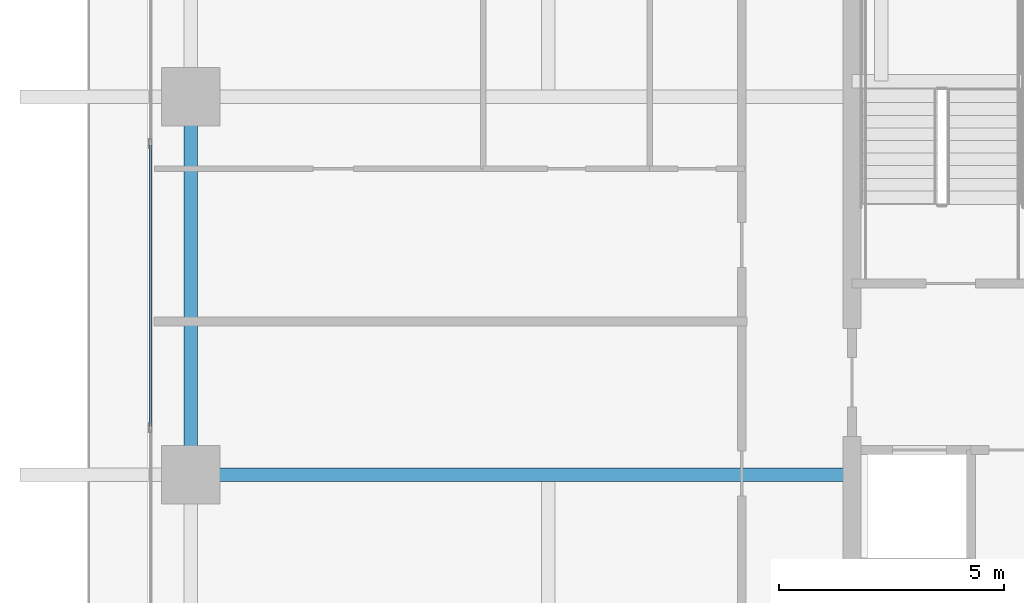
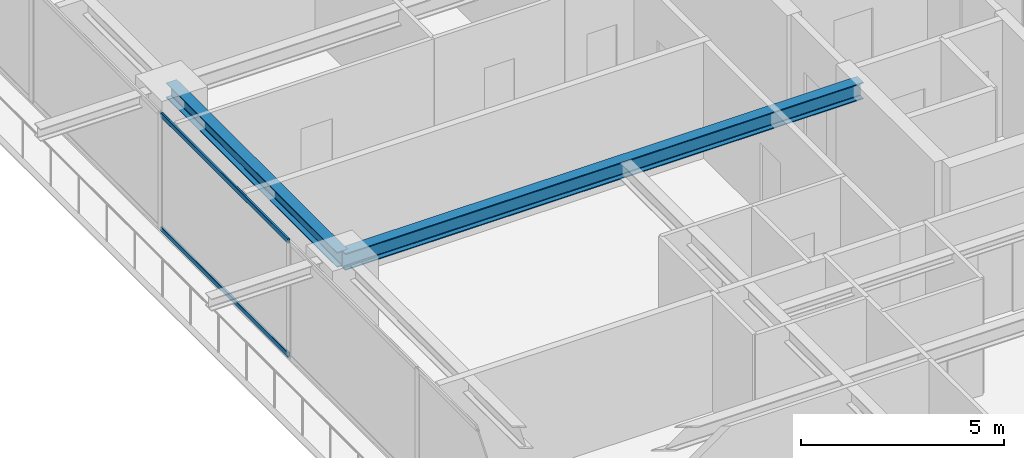
# One storey, part 7 of 34: 2 beams, 2 members, 1 element without a shape of its own.
"""IFC4 building model written with IfcOpenShell, lengths in metres."""

import ifcopenshell
import ifcopenshell.guid

model = None  # the IFC model being written
_history = None  # IfcOwnerHistory: only IFC2X3 demands one
_inside = {}  # id of a spatial element -> (the spatial element, [elements in it])
_under = {}  # id of a project, library or spatial element -> (it, [spatial elements below it])
_declared = {}  # id of a project -> (the project, [libraries it declares])
_typed = {}  # id of a type object -> (the type object, [elements of that type])
_made_of = {}  # id of a material, layer set ... -> (it, [elements and type objects made of it])


def new_model(schema):
    """Start an empty IFC model of exactly this schema.

    Asked for "IFC4X3", IfcOpenShell would pick the latest addendum, in which some entities
    have other attributes; the version numbers below select the first issue.
    IFC2X3 requires an IfcOwnerHistory on every rooted entity: one is made here for all.
    """
    global model, _history
    if schema == "IFC4X3":
        model = ifcopenshell.file(schema_version=(4, 3, 0, 0))
    else:
        model = ifcopenshell.file(schema=schema)
    _inside.clear()
    _under.clear()
    _declared.clear()
    _typed.clear()
    _made_of.clear()
    _history = None
    if model.schema == "IFC2X3":
        org = make("IfcOrganization", Name="unknown")
        user = make(
            "IfcPersonAndOrganization",
            ThePerson=make("IfcPerson", FamilyName="unknown"),
            TheOrganization=org,
        )
        app = make(
            "IfcApplication",
            ApplicationDeveloper=org,
            Version="unknown",
            ApplicationFullName="unknown",
            ApplicationIdentifier="unknown",
        )
        _history = make(
            "IfcOwnerHistory",
            OwningUser=user,
            OwningApplication=app,
            ChangeAction="ADDED",
            CreationDate=0,
        )
    return model


def make(cls, **values):
    """One entity of the class cls with the attributes given. An attribute that is None is left unset."""
    return model.create_entity(
        cls, **{name: value for name, value in values.items() if value is not None}
    )


def rooted(cls, **values):
    """An entity with a GlobalId (a new one), such as an element, a storey or a relation."""
    return make(cls, GlobalId=ifcopenshell.guid.new(), OwnerHistory=_history, **values)


def si_unit(unit_type, name, prefix=None):
    """IfcSIUnit, for example si_unit("LENGTHUNIT", "METRE", prefix="MILLI")."""
    return make("IfcSIUnit", UnitType=unit_type, Prefix=prefix, Name=name)


def assignment(units):
    """IfcUnitAssignment: the units of a project."""
    return None if units is None else make("IfcUnitAssignment", Units=units)


def point(xyz):
    """IfcCartesianPoint."""
    return None if xyz is None else make("IfcCartesianPoint", Coordinates=xyz)


def direction(xyz):
    """IfcDirection."""
    return None if xyz is None else make("IfcDirection", DirectionRatios=xyz)


def frame(location, z_axis=None, x_axis=None):
    """IfcAxis2Placement3D, a coordinate frame: its origin and axes. An axis left out is left unset."""
    return make(
        "IfcAxis2Placement3D",
        Location=point(location),
        Axis=direction(z_axis),
        RefDirection=direction(x_axis),
    )


def frame_2d(location, x_axis=None):
    """IfcAxis2Placement2D, a coordinate frame in the plane: its origin and x axis."""
    return make(
        "IfcAxis2Placement2D", Location=point(location), RefDirection=direction(x_axis)
    )


def origin():
    """The frame at (0, 0, 0) with its axes left unset."""
    return frame((0.0, 0.0, 0.0))


def origin_2d():
    """The frame at (0, 0) in the plane with its x axis left unset."""
    return frame_2d((0.0, 0.0))


def place(relative_to, where):
    """IfcLocalPlacement: puts the frame where relative to a parent placement (None: the world)."""
    return make(
        "IfcLocalPlacement", PlacementRelTo=relative_to, RelativePlacement=where
    )


def context(
    kind, dimensions, precision=None, world=None, true_north=None, identifier=None
):
    """IfcGeometricRepresentationContext, for example the 3D "Model" context."""
    return make(
        "IfcGeometricRepresentationContext",
        ContextIdentifier=identifier,
        ContextType=kind,
        CoordinateSpaceDimension=dimensions,
        Precision=precision,
        WorldCoordinateSystem=world,
        TrueNorth=true_north,
    )


def subcontext(parent, identifier, kind, view, scale=None):
    """IfcGeometricRepresentationSubContext, for example "Body" below "Model"."""
    return make(
        "IfcGeometricRepresentationSubContext",
        ContextIdentifier=identifier,
        ContextType=kind,
        ParentContext=parent,
        TargetScale=scale,
        TargetView=view,
    )


def project(units=None, contexts=None):
    """IfcProject with its units and contexts."""
    return rooted(
        "IfcProject",
        Name="project",
        RepresentationContexts=contexts,
        UnitsInContext=assignment(units),
    )


def spatial(cls, under=None, at=None, **own):
    """A site, building, storey or space (cls), placed at a placement, below another one or the project."""
    s = rooted(cls, ObjectPlacement=at, **own)
    if under is not None:
        _under.setdefault(under.id(), (under, []))[1].append(s)
    return s


def profile(cls, at=None, kind="AREA", **sizes):
    """A parametric profile (cls). Its sizes go by their IFC names, for example OverallWidth=200.0."""
    return make(cls, ProfileType=kind, Position=at, **sizes)


def hollow_rectangle(**sizes):
    """IfcRectangleHollowProfileDef."""
    return profile("IfcRectangleHollowProfileDef", **sizes)


def i_section(**sizes):
    """IfcIShapeProfileDef."""
    return profile("IfcIShapeProfileDef", **sizes)


def extrude(swept, where, along, depth):
    """IfcExtrudedAreaSolid: the profile swept, set in the frame where, extruded along a direction by depth."""
    return make(
        "IfcExtrudedAreaSolid",
        SweptArea=swept,
        Position=where,
        ExtrudedDirection=direction(along),
        Depth=depth,
    )


def shape(context_of_items, identifier, shape_type, items):
    """IfcShapeRepresentation: the items that make up one representation, for example the "Body"."""
    return make(
        "IfcShapeRepresentation",
        ContextOfItems=context_of_items,
        RepresentationIdentifier=identifier,
        RepresentationType=shape_type,
        Items=items,
    )


def source(mapping_origin, context_of_items, identifier, shape_type, items):
    """IfcRepresentationMap: a shape defined once, which mapped items show again and again."""
    return make(
        "IfcRepresentationMap",
        MappingOrigin=mapping_origin,
        MappedRepresentation=shape(context_of_items, identifier, shape_type, items),
    )


def transform(
    local_origin,
    x_axis=None,
    y_axis=None,
    z_axis=None,
    scale=None,
    scale2=None,
    scale3=None,
    uniform=True,
):
    """IfcCartesianTransformationOperator3D, or its non-uniform kind. x_axis, y_axis, z_axis: its Axis1, 2, 3."""
    if uniform:
        return make(
            "IfcCartesianTransformationOperator3D",
            Axis1=direction(x_axis),
            Axis2=direction(y_axis),
            LocalOrigin=point(local_origin),
            Scale=scale,
            Axis3=direction(z_axis),
        )
    return make(
        "IfcCartesianTransformationOperator3DnonUniform",
        Axis1=direction(x_axis),
        Axis2=direction(y_axis),
        LocalOrigin=point(local_origin),
        Scale=scale,
        Axis3=direction(z_axis),
        Scale2=scale2,
        Scale3=scale3,
    )


def mapped(mapping_source, mapping_target):
    """IfcMappedItem: shows the shape of a source again, moved by a transform."""
    return make(
        "IfcMappedItem", MappingSource=mapping_source, MappingTarget=mapping_target
    )


def material(Name=None, Category=None):
    """IfcMaterial."""
    return make("IfcMaterial", Name=Name, Category=Category)


def layer(
    of_material, thickness, ventilated=None, Name=None, Category=None, Priority=None
):
    """IfcMaterialLayer: one layer of a wall or slab, of a material (None: an air gap)."""
    return make(
        "IfcMaterialLayer",
        Material=of_material,
        LayerThickness=thickness,
        IsVentilated=ventilated,
        Name=Name,
        Category=Category,
        Priority=Priority,
    )


def layer_set(layers, Name=None):
    """IfcMaterialLayerSet."""
    return make("IfcMaterialLayerSet", MaterialLayers=layers, LayerSetName=Name)


def material_profile(
    of_material, cross_section, Name=None, Category=None, Priority=None
):
    """IfcMaterialProfile: a cross section and its material."""
    return make(
        "IfcMaterialProfile",
        Name=Name,
        Material=of_material,
        Profile=cross_section,
        Priority=Priority,
        Category=Category,
    )


def profile_set(profiles, Name=None, composite=None):
    """IfcMaterialProfileSet."""
    return make(
        "IfcMaterialProfileSet",
        Name=Name,
        MaterialProfiles=profiles,
        CompositeProfile=composite,
    )


def made_of(thing, what):
    """Note that an element or type object is made of a material, layer set ...; save() writes the relation."""
    if what is not None:
        _made_of.setdefault(what.id(), (what, []))[1].append(thing)
    return thing


def type_object(cls, material=None, **own):
    """A type object (cls), such as IfcWallType, which elements share."""
    return made_of(rooted(cls, **own), material)


def element(
    cls,
    number,
    at=None,
    inside=None,
    cuts=None,
    type_object=None,
    material=None,
    context=None,
    identifier="Body",
    shape_type=None,
    held_by="IfcProductDefinitionShape",
    body=None,
    shapes=None,
    **own,
):
    """One element of the class cls, such as IfcWall. Its Tag is "e" and its number.

    at: its placement. inside: the storey or other place that contains it. cuts: it is an
    opening in that element (IfcRelVoidsElement). A single representation is given by context,
    identifier, shape_type and body (its items); several are given by shapes. held_by: the class
    of the entity that holds the representations. save() writes the other relations.
    """
    e = rooted(cls, Tag="e%d" % number, ObjectPlacement=at, **own)
    if body is not None:
        shapes = [shape(context, identifier, shape_type, body)]
    if shapes is not None:
        e.Representation = make(held_by, Representations=shapes)
    if inside is not None:
        _inside.setdefault(inside.id(), (inside, []))[1].append(e)
    if cuts is not None:
        rooted(
            "IfcRelVoidsElement", RelatingBuildingElement=cuts, RelatedOpeningElement=e
        )
    if type_object is not None:
        _typed.setdefault(type_object.id(), (type_object, []))[1].append(e)
    return made_of(e, material)


def aggregate(whole, parts):
    """IfcRelAggregates: a whole, such as a stair, and the parts it consists of."""
    return rooted("IfcRelAggregates", RelatingObject=whole, RelatedObjects=parts)


def save(model, path):
    """Write the relations noted so far, then the file.

    IfcRelAggregates (storeys below a building ...), IfcRelContainedInSpatialStructure (elements
    in a storey), IfcRelDefinesByType, IfcRelAssociatesMaterial and IfcRelDeclares: one each for
    every whole, place, type object, material and project.
    """
    for whole, parts in _under.values():
        aggregate(whole, parts)
    for where, things in _inside.values():
        rooted(
            "IfcRelContainedInSpatialStructure",
            RelatedElements=things,
            RelatingStructure=where,
        )
    for kind, things in _typed.values():
        rooted("IfcRelDefinesByType", RelatedObjects=things, RelatingType=kind)
    for what, things in _made_of.values():
        rooted("IfcRelAssociatesMaterial", RelatedObjects=things, RelatingMaterial=what)
    for by, libraries in _declared.values():
        rooted("IfcRelDeclares", RelatingContext=by, RelatedDefinitions=libraries)
    model.write(path)


model = new_model("IFC4")

# Units and contexts
model_context = context("Model", 3, precision=1e-05, world=origin(), true_north=direction((0.0, 1.0)))
body_context = subcontext(model_context, "Body", "Model", "MODEL_VIEW")
ifc_project = project(units=[si_unit("LENGTHUNIT", "METRE"), si_unit("AREAUNIT", "SQUARE_METRE"), si_unit("VOLUMEUNIT", "CUBIC_METRE"), si_unit("PLANEANGLEUNIT", "RADIAN"), si_unit("MASSUNIT", "GRAM", prefix="KILO")], contexts=[model_context])

# Site, building, storey
site_placement = place(None, origin())
site = spatial("IfcSite", under=ifc_project, at=site_placement, CompositionType="ELEMENT")
building_placement = place(site_placement, origin())
building = spatial("IfcBuilding", under=site, at=building_placement, Name="Serunith Strait Residences", CompositionType="ELEMENT")
storey_placement = place(building_placement, frame((0.0, 0.0, 180.14990234375)))
storey = spatial("IfcBuildingStorey", under=building, at=storey_placement, Name="L45", CompositionType="ELEMENT", Elevation=180.14990234375)

# Beams
ifc_material_1 = material(Name="Steel S355J2", Category="steel")
ifc_material_profile_1 = material_profile(ifc_material_1, i_section(OverallWidth=0.300048828125, OverallDepth=0.449951171875, WebThickness=0.013916015625, FlangeThickness=0.02587890625, FilletRadius=0.027099609375, at=origin_2d()), Name="HEB 450")
ifc_profile_set_1 = profile_set([ifc_material_profile_1], Name="Steel S355J2")
beam_type_1 = type_object("IfcBeamType", Name="BM-HEB450", PredefinedType="BEAM", material=ifc_profile_set_1)
shared_shape_1 = source(origin(), body_context, "Body", "SweptSolid", [
    extrude(i_section(OverallWidth=0.300048828125, OverallDepth=0.449951171875, WebThickness=0.013916015625, FlangeThickness=0.02587890625, FilletRadius=0.027099609375, at=origin_2d()), origin(), (0.0, 0.0, 1.0), 8.39990234375),
])
beam_1_placement = place(storey_placement, frame((8.699951171875, 29.39990234375, 3.26220703125), z_axis=(0.0, -1.0, 0.0), x_axis=(1.0, 0.0, 0.0)))
element("IfcBeam", 1, at=beam_1_placement, inside=storey, type_object=beam_type_1, Name="L45 Perimeter Ring Beam 14", PredefinedType="BEAM", context=body_context, shape_type="MappedRepresentation", body=[
    mapped(shared_shape_1, transform((0.0, 0.0, 0.0), scale=1.0)),
])
ifc_material_profile_2 = material_profile(ifc_material_1, i_section(OverallWidth=0.300048828125, OverallDepth=0.5, WebThickness=0.014404296875, FlangeThickness=0.028076171875, FilletRadius=0.027099609375, at=origin_2d()), Name="HEB 500")
ifc_profile_set_2 = profile_set([ifc_material_profile_2], Name="Steel S355J2")
beam_type_2 = type_object("IfcBeamType", Name="BM-HEB500", PredefinedType="BEAM", material=ifc_profile_set_2)
shared_shape_2 = source(origin(), body_context, "Body", "SweptSolid", [
    extrude(i_section(OverallWidth=0.300048828125, OverallDepth=0.5, WebThickness=0.014404296875, FlangeThickness=0.028076171875, FilletRadius=0.027099609375, at=origin_2d()), origin(), (0.0, 0.0, 1.0), 14.699951171875),
])
beam_2_placement = place(storey_placement, frame((23.39990234375, 21.0, 3.237060546875), z_axis=(-1.0, 0.0, 0.0), x_axis=(0.0, -1.0, 0.0)))
element("IfcBeam", 2, at=beam_2_placement, inside=storey, type_object=beam_type_2, Name="L45 Primary Floor Girder TC-W2", PredefinedType="BEAM", context=body_context, shape_type="MappedRepresentation", body=[
    mapped(shared_shape_2, transform((0.0, 0.0, 0.0), scale=1.0)),
])

# Curtain wall, members
ifc_material_2 = material(Name="Pale-Champagne Anodised Aluminium", Category="aluminium")
ifc_layer = layer(ifc_material_2, 0.199951171875, Name="Pale-Champagne Anodised Aluminium")
ifc_layer_set = layer_set([ifc_layer], Name="Pale-Champagne Anodised Aluminium")
curtain_wall_type = type_object("IfcCurtainWallType", Name="CW-SYS2", PredefinedType="NOTDEFINED", material=ifc_layer_set)
curtain_wall_placement = place(storey_placement, origin())
curtain_wall = element("IfcCurtainWall", 3, at=curtain_wall_placement, inside=storey, type_object=curtain_wall_type, Name="L45 W Unitised Fritted Curtain Wall", PredefinedType="NOTDEFINED")
ifc_material_profile_3 = material_profile(ifc_material_2, hollow_rectangle(XDim=0.06005859375, YDim=0.139892578125, WallThickness=0.00341796875, InnerFilletRadius=0.00537109375, OuterFilletRadius=0.0087890625, at=origin_2d()), Name="ALU 140x60x3.5")
ifc_profile_set_3 = profile_set([ifc_material_profile_3], Name="Pale-Champagne Anodised Aluminium")
member_type = type_object("IfcMemberType", Name="CW-SYS2-TRAN", PredefinedType="USERDEFINED", material=ifc_profile_set_3)
shared_shape_3 = source(origin(), body_context, "Body", "SweptSolid", [
    extrude(hollow_rectangle(XDim=0.06005859375, YDim=0.139892578125, WallThickness=0.00341796875, InnerFilletRadius=0.00537109375, OuterFilletRadius=0.0087890625, at=origin_2d()), origin(), (0.0, 0.0, 1.0), 6.25),
])
member_1_placement = place(storey_placement, frame((7.800048828125, 28.324951171875, 0.030029296875), z_axis=(0.0, -1.0, 0.0), x_axis=(1.0, 0.0, 0.0)))
member_1 = element("IfcMember", 4, at=member_1_placement, type_object=member_type, Name="CW-2 transom 3.1", ObjectType="TRANSOM", PredefinedType="USERDEFINED", context=body_context, shape_type="MappedRepresentation", body=[
    mapped(shared_shape_3, transform((0.0, 0.0, 0.0), scale=1.0)),
])
member_2_placement = place(storey_placement, frame((7.800048828125, 28.324951171875, 3.445068359375), z_axis=(0.0, -1.0, 0.0), x_axis=(1.0, 0.0, 0.0)))
member_2 = element("IfcMember", 5, at=member_2_placement, type_object=member_type, Name="CW-2 transom 3.2", ObjectType="TRANSOM", PredefinedType="USERDEFINED", context=body_context, shape_type="MappedRepresentation", body=[
    mapped(shared_shape_3, transform((0.0, 0.0, 0.0), scale=1.0)),
])
aggregate(curtain_wall, [member_1, member_2])

save(model, "model.ifc")
